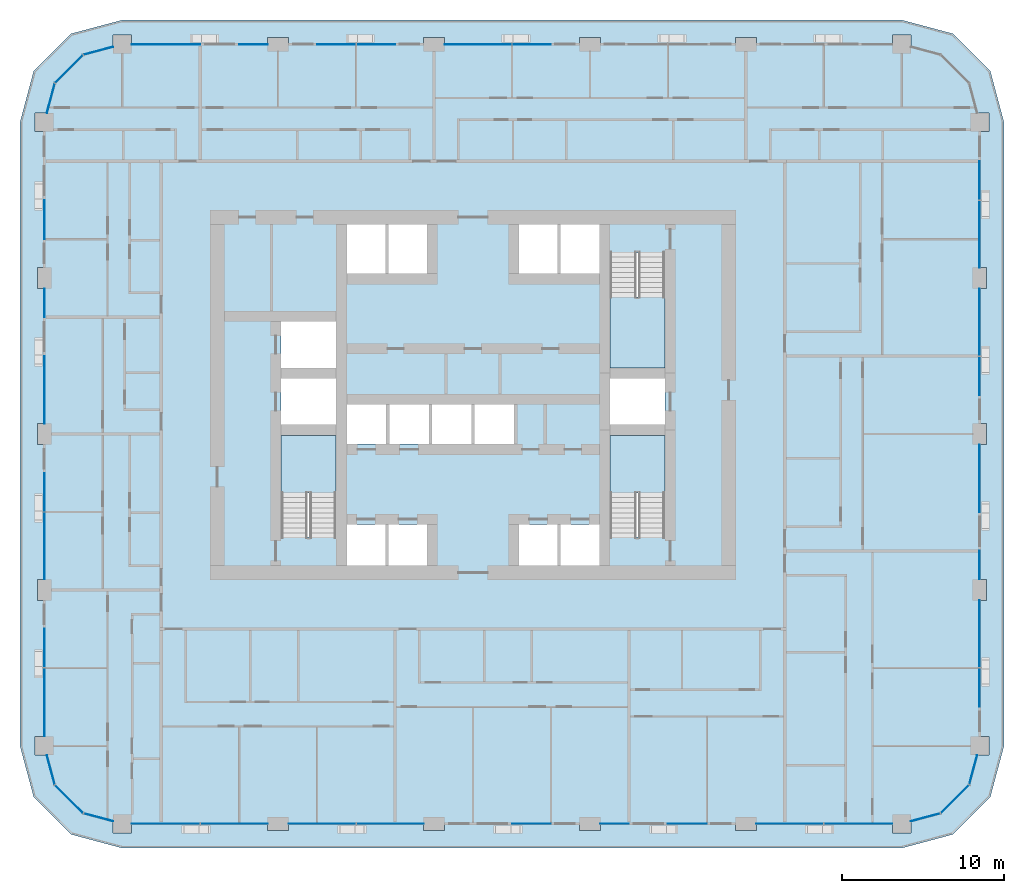
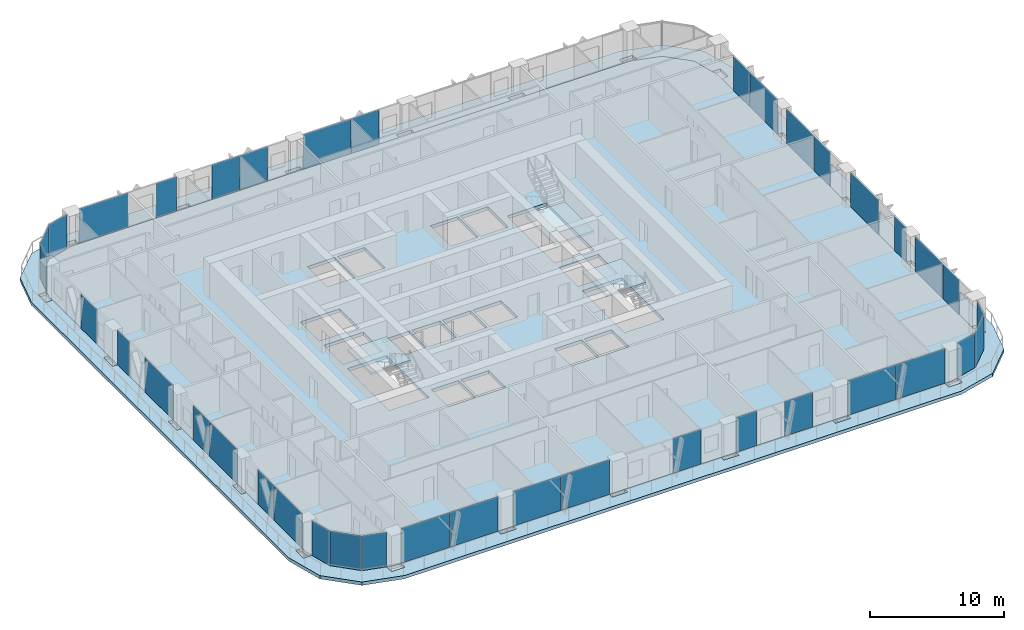
# One storey, part 7 of 22: 39 plates, 5 slabs, 22 elements without a shape of their own.
"""IFC4 building model written with IfcOpenShell, lengths in metres."""

from ifc_helpers import new_model, si_unit, direction, frame, origin, origin_2d, place, context, subcontext, project, spatial, polyline, rectangle, outline, extrude, material, layer, layer_set, type_object, element, aggregate, save


model = new_model("IFC4")

# Units and contexts
model_context = context("Model", 3, precision=1e-05, world=origin(), true_north=direction((0.0, 1.0)))
body_context = subcontext(model_context, "Body", "Model", "MODEL_VIEW")
ifc_project = project(units=[si_unit("LENGTHUNIT", "METRE"), si_unit("AREAUNIT", "SQUARE_METRE"), si_unit("VOLUMEUNIT", "CUBIC_METRE"), si_unit("PLANEANGLEUNIT", "RADIAN"), si_unit("MASSUNIT", "GRAM", prefix="KILO")], contexts=[model_context])

# Site, building, storey
site_placement = place(None, origin())
site = spatial("IfcSite", under=ifc_project, at=site_placement, CompositionType="ELEMENT")
building_placement = place(site_placement, origin())
building = spatial("IfcBuilding", under=site, at=building_placement, Name="Madar Terraces", CompositionType="ELEMENT")
storey_placement = place(building_placement, frame((0.0, 0.0, 66.300048828125)))
storey = spatial("IfcBuildingStorey", under=building, at=storey_placement, Name="L16", CompositionType="ELEMENT", Elevation=66.300048828125)

# Slabs
ifc_material_1 = material(Name="Concrete C50/60", Category="concrete")
ifc_layer_1 = layer(ifc_material_1, 0.300048828125)
ifc_layer_set_1 = layer_set([ifc_layer_1], Name="Balcony band 300")
slab_type_1 = type_object("IfcSlabType", Name="Balcony band 300", PredefinedType="FLOOR", material=ifc_layer_set_1)
slab_1_placement = place(storey_placement, frame((0.0, 0.0, -0.300048828125)))
element("IfcSlab", 1, at=slab_1_placement, inside=storey, type_object=slab_type_1, Name="Balcony band", PredefinedType="FLOOR", context=body_context, shape_type="SweptSolid", body=[
    extrude(outline(polyline([(9.60009765625, -1.5), (6.449951171875, -0.656005859375), (4.14404296875, 1.64990234375), (3.300048828125, 4.800048828125), (3.300048828125, 43.199951171875), (4.14404296875, 46.35009765625), (6.449951171875, 48.656005859375), (9.60009765625, 49.5), (57.60009765625, 49.5), (60.75, 48.656005859375), (63.055908203125, 46.35009765625), (63.89990234375, 43.199951171875), (63.89990234375, 4.800048828125), (63.055908203125, 1.64990234375), (60.75, -0.656005859375), (57.60009765625, -1.5), (9.60009765625, -1.5)]), holes=[polyline([(10.175048828125, -0.574951171875), (10.175048828125, 0.0), (18.550048828125, 0.0), (18.550048828125, -0.425048828125), (19.85009765625, -0.425048828125), (19.85009765625, 0.0), (28.14990234375, 0.0), (28.14990234375, -0.425048828125), (29.449951171875, -0.425048828125), (29.449951171875, 0.0), (37.75, 0.0), (37.75, -0.425048828125), (39.050048828125, -0.425048828125), (39.050048828125, 0.0), (47.35009765625, 0.0), (47.35009765625, -0.425048828125), (48.64990234375, -0.425048828125), (48.64990234375, 0.0), (57.02490234375, 0.0), (57.02490234375, -0.574951171875), (58.175048828125, -0.574951171875), (58.175048828125, 0.154052734375), (60.0, 0.64306640625), (61.7568359375, 2.39990234375), (62.245849609375, 4.22509765625), (62.97509765625, 4.22509765625), (62.97509765625, 5.375), (62.39990234375, 5.375), (62.39990234375, 13.75), (62.824951171875, 13.75), (62.824951171875, 15.050048828125), (62.39990234375, 15.050048828125), (62.39990234375, 23.35009765625), (62.824951171875, 23.35009765625), (62.824951171875, 24.64990234375), (62.39990234375, 24.64990234375), (62.39990234375, 32.949951171875), (62.824951171875, 32.949951171875), (62.824951171875, 34.25), (62.39990234375, 34.25), (62.39990234375, 42.625), (62.97509765625, 42.625), (62.97509765625, 43.77490234375), (62.245849609375, 43.77490234375), (61.7568359375, 45.60009765625), (60.0, 47.35693359375), (58.175048828125, 47.845947265625), (58.175048828125, 48.574951171875), (57.02490234375, 48.574951171875), (57.02490234375, 48.0), (48.64990234375, 48.0), (48.64990234375, 48.425048828125), (47.35009765625, 48.425048828125), (47.35009765625, 48.0), (39.050048828125, 48.0), (39.050048828125, 48.425048828125), (37.75, 48.425048828125), (37.75, 48.0), (29.449951171875, 48.0), (29.449951171875, 48.425048828125), (28.14990234375, 48.425048828125), (28.14990234375, 48.0), (19.85009765625, 48.0), (19.85009765625, 48.425048828125), (18.550048828125, 48.425048828125), (18.550048828125, 48.0), (10.175048828125, 48.0), (10.175048828125, 48.574951171875), (9.02490234375, 48.574951171875), (9.02490234375, 47.845947265625), (7.199951171875, 47.35693359375), (5.443115234375, 45.60009765625), (4.9541015625, 43.77490234375), (4.22509765625, 43.77490234375), (4.22509765625, 42.625), (4.800048828125, 42.625), (4.800048828125, 34.25), (4.375, 34.25), (4.375, 32.949951171875), (4.800048828125, 32.949951171875), (4.800048828125, 24.64990234375), (4.375, 24.64990234375), (4.375, 23.35009765625), (4.800048828125, 23.35009765625), (4.800048828125, 15.050048828125), (4.375, 15.050048828125), (4.375, 13.75), (4.800048828125, 13.75), (4.800048828125, 5.375), (4.22509765625, 5.375), (4.22509765625, 4.22509765625), (4.9541015625, 4.22509765625), (5.443115234375, 2.39990234375), (7.199951171875, 0.64306640625), (9.02490234375, 0.154052734375), (9.02490234375, -0.574951171875), (10.175048828125, -0.574951171875)])]), origin(), (0.0, 0.0, 1.0), 0.300048828125),
])
ifc_material_2 = material(Name="Concrete C50/60", Category="concrete")
ifc_layer_2 = layer(ifc_material_2, 0.300048828125)
ifc_layer_set_2 = layer_set([ifc_layer_2], Name="FS2 PT flat slab 300")
slab_type_2 = type_object("IfcSlabType", Name="FS2 PT flat slab 300", PredefinedType="FLOOR", material=ifc_layer_set_2)
slab_2_placement = place(storey_placement, frame((0.0, 0.0, -0.300048828125)))
element("IfcSlab", 2, at=slab_2_placement, inside=storey, type_object=slab_type_2, Name="Floor slab L16 (1)", PredefinedType="FLOOR", context=body_context, shape_type="SweptSolid", body=[
    extrude(outline(polyline([(57.60009765625, 0.0), (60.0, 0.64306640625), (61.7568359375, 2.39990234375), (62.39990234375, 4.800048828125), (62.39990234375, 43.199951171875), (61.7568359375, 45.60009765625), (60.0, 47.35693359375), (57.60009765625, 48.0), (9.60009765625, 48.0), (7.199951171875, 47.35693359375), (5.443115234375, 45.60009765625), (4.800048828125, 43.199951171875), (4.800048828125, 4.800048828125), (5.443115234375, 2.39990234375), (7.199951171875, 0.64306640625), (9.60009765625, 0.0), (57.60009765625, 0.0)]), holes=[polyline([(23.425048828125, 15.89990234375), (23.425048828125, 18.425048828125), (25.800048828125, 18.425048828125), (25.800048828125, 15.89990234375), (23.425048828125, 15.89990234375)]), polyline([(26.0, 15.89990234375), (26.0, 18.425048828125), (28.375, 18.425048828125), (28.375, 15.89990234375), (26.0, 15.89990234375)]), polyline([(19.375, 17.64990234375), (19.375, 23.925048828125), (22.77490234375, 23.925048828125), (22.77490234375, 17.64990234375), (19.375, 17.64990234375)]), polyline([(23.425048828125, 23.375), (23.425048828125, 25.824951171875), (25.85009765625, 25.824951171875), (25.85009765625, 23.375), (23.425048828125, 23.375)]), polyline([(26.050048828125, 23.375), (26.050048828125, 25.824951171875), (28.47509765625, 25.824951171875), (28.47509765625, 23.375), (26.050048828125, 23.375)]), polyline([(19.375, 24.574951171875), (19.375, 27.425048828125), (22.77490234375, 27.425048828125), (22.77490234375, 24.574951171875), (19.375, 24.574951171875)]), polyline([(19.375, 28.074951171875), (19.375, 30.925048828125), (22.77490234375, 30.925048828125), (22.77490234375, 28.074951171875), (19.375, 28.074951171875)]), polyline([(23.425048828125, 36.89990234375), (25.800048828125, 36.89990234375), (25.800048828125, 33.875), (23.425048828125, 33.875), (23.425048828125, 36.89990234375)]), polyline([(26.0, 36.89990234375), (28.375, 36.89990234375), (28.375, 33.875), (26.0, 33.875), (26.0, 36.89990234375)]), polyline([(34.02490234375, 15.89990234375), (34.02490234375, 18.425048828125), (36.39990234375, 18.425048828125), (36.39990234375, 15.89990234375), (34.02490234375, 15.89990234375)]), polyline([(36.60009765625, 15.89990234375), (36.60009765625, 18.425048828125), (38.97509765625, 18.425048828125), (38.97509765625, 15.89990234375), (36.60009765625, 15.89990234375)]), polyline([(39.625, 17.64990234375), (39.625, 23.925048828125), (43.02490234375, 23.925048828125), (43.02490234375, 17.64990234375), (39.625, 17.64990234375)]), polyline([(28.675048828125, 23.375), (28.675048828125, 25.824951171875), (31.10009765625, 25.824951171875), (31.10009765625, 23.375), (28.675048828125, 23.375)]), polyline([(31.300048828125, 23.375), (31.300048828125, 25.824951171875), (33.72509765625, 25.824951171875), (33.72509765625, 23.375), (31.300048828125, 23.375)]), polyline([(39.625, 24.574951171875), (39.625, 27.425048828125), (43.02490234375, 27.425048828125), (43.02490234375, 24.574951171875), (39.625, 24.574951171875)]), polyline([(39.625, 28.074951171875), (39.625, 35.14990234375), (43.02490234375, 35.14990234375), (43.02490234375, 28.074951171875), (39.625, 28.074951171875)]), polyline([(34.02490234375, 36.89990234375), (36.39990234375, 36.89990234375), (36.39990234375, 33.875), (34.02490234375, 33.875), (34.02490234375, 36.89990234375)]), polyline([(36.60009765625, 36.89990234375), (38.97509765625, 36.89990234375), (38.97509765625, 33.875), (36.60009765625, 33.875), (36.60009765625, 36.89990234375)])]), origin(), (0.0, 0.0, 1.0), 0.300048828125),
])

# Curtain wall, plates
ifc_material_3 = material(Name="Glass, ceramic frit dark grey, with black aluminium frame", Category="aluminium")
ifc_layer_3 = layer(ifc_material_3, 0.199951171875)
ifc_layer_set_3 = layer_set([ifc_layer_3], Name="Facade curtain wall, fritted glass")
curtain_wall_type = type_object("IfcCurtainWallType", Name="Facade curtain wall, fritted glass", PredefinedType="NOTDEFINED", material=ifc_layer_set_3)
curtain_wall_1_placement = place(storey_placement, origin())
curtain_wall_1 = element("IfcCurtainWall", 3, at=curtain_wall_1_placement, inside=storey, type_object=curtain_wall_type, Name="Outer skin curtain wall south bay 1", PredefinedType="NOTDEFINED")
ifc_material_4 = material(Name="Glass, ceramic frit dark grey", Category="glass")
ifc_layer_4 = layer(ifc_material_4, 0.028076171875)
ifc_layer_set_4 = layer_set([ifc_layer_4], Name="Facade glass panel 28")
plate_type = type_object("IfcPlateType", Name="Facade glass panel 28", PredefinedType="CURTAIN_PANEL", material=ifc_layer_set_4)
plate_1_placement = place(storey_placement, frame((12.2724609375, 0.0, 0.0), z_axis=(0.0, 0.0, 1.0), x_axis=(1.0, 0.0, 0.0)))
plate_1 = element("IfcPlate", 4, at=plate_1_placement, type_object=plate_type, Name="Panel 1", PredefinedType="CURTAIN_PANEL", context=body_context, shape_type="SweptSolid", body=[
    extrude(rectangle(XDim=4.195068359375, YDim=0.028076171875, at=origin_2d()), origin(), (0.0, 0.0, 1.0), 3.139892578125),
])
plate_2_placement = place(storey_placement, frame((16.489990234375, 0.0, 0.0), z_axis=(0.0, 0.0, 1.0), x_axis=(1.0, 0.0, 0.0)))
plate_2 = element("IfcPlate", 5, at=plate_2_placement, type_object=plate_type, Name="Panel 2", PredefinedType="CURTAIN_PANEL", context=body_context, shape_type="SweptSolid", body=[
    extrude(rectangle(XDim=4.1201171875, YDim=0.028076171875, at=origin_2d()), origin(), (0.0, 0.0, 1.0), 3.139892578125),
])
aggregate(curtain_wall_1, [plate_1, plate_2])

curtain_wall_2_placement = place(storey_placement, origin())
curtain_wall_2 = element("IfcCurtainWall", 6, at=curtain_wall_2_placement, inside=storey, type_object=curtain_wall_type, Name="Outer skin curtain wall south bay 2", PredefinedType="NOTDEFINED")
plate_3_placement = place(storey_placement, frame((21.909912109375, 0.0, 0.0), z_axis=(0.0, 0.0, 1.0), x_axis=(1.0, 0.0, 0.0)))
plate_3 = element("IfcPlate", 7, at=plate_3_placement, type_object=plate_type, Name="Panel 1", PredefinedType="CURTAIN_PANEL", context=body_context, shape_type="SweptSolid", body=[
    extrude(rectangle(XDim=4.1201171875, YDim=0.028076171875, at=origin_2d()), origin(), (0.0, 0.0, 1.0), 3.139892578125),
])
plate_4_placement = place(storey_placement, frame((26.090087890625, 0.0, 0.0), z_axis=(0.0, 0.0, 1.0), x_axis=(1.0, 0.0, 0.0)))
plate_4 = element("IfcPlate", 8, at=plate_4_placement, type_object=plate_type, Name="Panel 2", PredefinedType="CURTAIN_PANEL", context=body_context, shape_type="SweptSolid", body=[
    extrude(rectangle(XDim=4.1201171875, YDim=0.028076171875, at=origin_2d()), origin(), (0.0, 0.0, 1.0), 3.139892578125),
])
aggregate(curtain_wall_2, [plate_3, plate_4])

# Curtain wall, plate
curtain_wall_3_placement = place(storey_placement, origin())
curtain_wall_3 = element("IfcCurtainWall", 9, at=curtain_wall_3_placement, inside=storey, type_object=curtain_wall_type, Name="Outer skin curtain wall south bay 3", PredefinedType="NOTDEFINED")
plate_5_placement = place(storey_placement, frame((34.800048828125, 0.0, 0.0), z_axis=(0.0, 0.0, 1.0), x_axis=(1.0, 0.0, 0.0)))
plate_5 = element("IfcPlate", 10, at=plate_5_placement, type_object=plate_type, Name="Panel 1", PredefinedType="CURTAIN_PANEL", context=body_context, shape_type="SweptSolid", body=[
    extrude(rectangle(XDim=2.39990234375, YDim=0.028076171875, at=origin_2d()), origin(), (0.0, 0.0, 1.0), 3.139892578125),
])
aggregate(curtain_wall_3, [plate_5])

# Curtain wall, plates
curtain_wall_4_placement = place(storey_placement, origin())
curtain_wall_4 = element("IfcCurtainWall", 11, at=curtain_wall_4_placement, inside=storey, type_object=curtain_wall_type, Name="Outer skin curtain wall south bay 4", PredefinedType="NOTDEFINED")
plate_6_placement = place(storey_placement, frame((39.925048828125, 0.0, 0.0), z_axis=(0.0, 0.0, 1.0), x_axis=(1.0, 0.0, 0.0)))
plate_6 = element("IfcPlate", 12, at=plate_6_placement, type_object=plate_type, Name="Panel 1", PredefinedType="CURTAIN_PANEL", context=body_context, shape_type="SweptSolid", body=[
    extrude(rectangle(XDim=1.75, YDim=0.028076171875, at=origin_2d()), origin(), (0.0, 0.0, 1.0), 3.139892578125),
])
plate_7_placement = place(storey_placement, frame((44.39990234375, 0.0, 0.0), z_axis=(0.0, 0.0, 1.0), x_axis=(1.0, 0.0, 0.0)))
plate_7 = element("IfcPlate", 13, at=plate_7_placement, type_object=plate_type, Name="Panel 2", PredefinedType="CURTAIN_PANEL", context=body_context, shape_type="SweptSolid", body=[
    extrude(rectangle(XDim=2.39990234375, YDim=0.028076171875, at=origin_2d()), origin(), (0.0, 0.0, 1.0), 3.139892578125),
])
aggregate(curtain_wall_4, [plate_6, plate_7])

curtain_wall_5_placement = place(storey_placement, origin())
curtain_wall_5 = element("IfcCurtainWall", 14, at=curtain_wall_5_placement, inside=storey, type_object=curtain_wall_type, Name="Outer skin curtain wall south bay 5", PredefinedType="NOTDEFINED")
plate_8_placement = place(storey_placement, frame((50.7099609375, 0.0, 0.0), z_axis=(0.0, 0.0, 1.0), x_axis=(1.0, 0.0, 0.0)))
plate_8 = element("IfcPlate", 15, at=plate_8_placement, type_object=plate_type, Name="Panel 1", PredefinedType="CURTAIN_PANEL", context=body_context, shape_type="SweptSolid", body=[
    extrude(rectangle(XDim=4.1201171875, YDim=0.028076171875, at=origin_2d()), origin(), (0.0, 0.0, 1.0), 3.139892578125),
])
plate_9_placement = place(storey_placement, frame((54.927490234375, 0.0, 0.0), z_axis=(0.0, 0.0, 1.0), x_axis=(1.0, 0.0, 0.0)))
plate_9 = element("IfcPlate", 16, at=plate_9_placement, type_object=plate_type, Name="Panel 2", PredefinedType="CURTAIN_PANEL", context=body_context, shape_type="SweptSolid", body=[
    extrude(rectangle(XDim=4.195068359375, YDim=0.028076171875, at=origin_2d()), origin(), (0.0, 0.0, 1.0), 3.139892578125),
])
aggregate(curtain_wall_5, [plate_8, plate_9])

curtain_wall_6_placement = place(storey_placement, origin())
curtain_wall_6 = element("IfcCurtainWall", 17, at=curtain_wall_6_placement, inside=storey, type_object=curtain_wall_type, Name="Outer skin curtain wall east bay 1", PredefinedType="NOTDEFINED")
plate_10_placement = place(storey_placement, frame((62.39990234375, 8.385009765625, 0.0), z_axis=(0.0, 0.0, 1.0), x_axis=(0.0, 1.0, 0.0)))
plate_10 = element("IfcPlate", 18, at=plate_10_placement, type_object=plate_type, Name="Panel 1", PredefinedType="CURTAIN_PANEL", context=body_context, shape_type="SweptSolid", body=[
    extrude(rectangle(XDim=2.3701171875, YDim=0.028076171875, at=origin_2d()), origin(), (0.0, 0.0, 1.0), 3.139892578125),
])
plate_11_placement = place(storey_placement, frame((62.39990234375, 11.68994140625, 0.0), z_axis=(0.0, 0.0, 1.0), x_axis=(0.0, 1.0, 0.0)))
plate_11 = element("IfcPlate", 19, at=plate_11_placement, type_object=plate_type, Name="Panel 2", PredefinedType="CURTAIN_PANEL", context=body_context, shape_type="SweptSolid", body=[
    extrude(rectangle(XDim=4.1201171875, YDim=0.028076171875, at=origin_2d()), origin(), (0.0, 0.0, 1.0), 3.139892578125),
])
aggregate(curtain_wall_6, [plate_10, plate_11])

curtain_wall_7_placement = place(storey_placement, origin())
curtain_wall_7 = element("IfcCurtainWall", 20, at=curtain_wall_7_placement, inside=storey, type_object=curtain_wall_type, Name="Outer skin curtain wall east bay 2", PredefinedType="NOTDEFINED")
plate_12_placement = place(storey_placement, frame((62.39990234375, 15.925048828125, 0.0), z_axis=(0.0, 0.0, 1.0), x_axis=(0.0, 1.0, 0.0)))
plate_12 = element("IfcPlate", 21, at=plate_12_placement, type_object=plate_type, Name="Panel 1", PredefinedType="CURTAIN_PANEL", context=body_context, shape_type="SweptSolid", body=[
    extrude(rectangle(XDim=1.75, YDim=0.028076171875, at=origin_2d()), origin(), (0.0, 0.0, 1.0), 3.139892578125),
])
plate_13_placement = place(storey_placement, frame((62.39990234375, 21.27490234375, 0.0), z_axis=(0.0, 0.0, 1.0), x_axis=(0.0, 1.0, 0.0)))
plate_13 = element("IfcPlate", 22, at=plate_13_placement, type_object=plate_type, Name="Panel 2", PredefinedType="CURTAIN_PANEL", context=body_context, shape_type="SweptSolid", body=[
    extrude(rectangle(XDim=4.14990234375, YDim=0.028076171875, at=origin_2d()), origin(), (0.0, 0.0, 1.0), 3.139892578125),
])
aggregate(curtain_wall_7, [plate_12, plate_13])

curtain_wall_8_placement = place(storey_placement, origin())
curtain_wall_8 = element("IfcCurtainWall", 23, at=curtain_wall_8_placement, inside=storey, type_object=curtain_wall_type, Name="Outer skin curtain wall east bay 3", PredefinedType="NOTDEFINED")
plate_14_placement = place(storey_placement, frame((62.39990234375, 27.5849609375, 0.0), z_axis=(0.0, 0.0, 1.0), x_axis=(0.0, 1.0, 0.0)))
plate_14 = element("IfcPlate", 24, at=plate_14_placement, type_object=plate_type, Name="Panel 1", PredefinedType="CURTAIN_PANEL", context=body_context, shape_type="SweptSolid", body=[
    extrude(rectangle(XDim=2.3701171875, YDim=0.028076171875, at=origin_2d()), origin(), (0.0, 0.0, 1.0), 3.139892578125),
])
plate_15_placement = place(storey_placement, frame((62.39990234375, 30.889892578125, 0.0), z_axis=(0.0, 0.0, 1.0), x_axis=(0.0, 1.0, 0.0)))
plate_15 = element("IfcPlate", 25, at=plate_15_placement, type_object=plate_type, Name="Panel 2", PredefinedType="CURTAIN_PANEL", context=body_context, shape_type="SweptSolid", body=[
    extrude(rectangle(XDim=4.1201171875, YDim=0.028076171875, at=origin_2d()), origin(), (0.0, 0.0, 1.0), 3.139892578125),
])
aggregate(curtain_wall_8, [plate_14, plate_15])

curtain_wall_9_placement = place(storey_placement, origin())
curtain_wall_9 = element("IfcCurtainWall", 26, at=curtain_wall_9_placement, inside=storey, type_object=curtain_wall_type, Name="Outer skin curtain wall east bay 4", PredefinedType="NOTDEFINED")
plate_16_placement = place(storey_placement, frame((62.39990234375, 36.31005859375, 0.0), z_axis=(0.0, 0.0, 1.0), x_axis=(0.0, 1.0, 0.0)))
plate_16 = element("IfcPlate", 27, at=plate_16_placement, type_object=plate_type, Name="Panel 1", PredefinedType="CURTAIN_PANEL", context=body_context, shape_type="SweptSolid", body=[
    extrude(rectangle(XDim=4.1201171875, YDim=0.028076171875, at=origin_2d()), origin(), (0.0, 0.0, 1.0), 3.139892578125),
])
plate_17_placement = place(storey_placement, frame((62.39990234375, 39.614990234375, 0.0), z_axis=(0.0, 0.0, 1.0), x_axis=(0.0, 1.0, 0.0)))
plate_17 = element("IfcPlate", 28, at=plate_17_placement, type_object=plate_type, Name="Panel 2", PredefinedType="CURTAIN_PANEL", context=body_context, shape_type="SweptSolid", body=[
    extrude(rectangle(XDim=2.3701171875, YDim=0.028076171875, at=origin_2d()), origin(), (0.0, 0.0, 1.0), 3.139892578125),
])
aggregate(curtain_wall_9, [plate_16, plate_17])

curtain_wall_10_placement = place(storey_placement, origin())
curtain_wall_10 = element("IfcCurtainWall", 29, at=curtain_wall_10_placement, inside=storey, type_object=curtain_wall_type, Name="Outer skin curtain wall north bay 3", PredefinedType="NOTDEFINED")
plate_18_placement = place(storey_placement, frame((34.81494140625, 48.0, 0.0), z_axis=(0.0, 0.0, 1.0), x_axis=(-1.0, 0.0, 0.0)))
plate_18 = element("IfcPlate", 30, at=plate_18_placement, type_object=plate_type, Name="Panel 1", PredefinedType="CURTAIN_PANEL", context=body_context, shape_type="SweptSolid", body=[
    extrude(rectangle(XDim=2.3701171875, YDim=0.028076171875, at=origin_2d()), origin(), (0.0, 0.0, 1.0), 3.139892578125),
])
plate_19_placement = place(storey_placement, frame((31.510009765625, 48.0, 0.0), z_axis=(0.0, 0.0, 1.0), x_axis=(-1.0, 0.0, 0.0)))
plate_19 = element("IfcPlate", 31, at=plate_19_placement, type_object=plate_type, Name="Panel 2", PredefinedType="CURTAIN_PANEL", context=body_context, shape_type="SweptSolid", body=[
    extrude(rectangle(XDim=4.1201171875, YDim=0.028076171875, at=origin_2d()), origin(), (0.0, 0.0, 1.0), 3.139892578125),
])
aggregate(curtain_wall_10, [plate_18, plate_19])

curtain_wall_11_placement = place(storey_placement, origin())
curtain_wall_11 = element("IfcCurtainWall", 32, at=curtain_wall_11_placement, inside=storey, type_object=curtain_wall_type, Name="Outer skin curtain wall north bay 4", PredefinedType="NOTDEFINED")
plate_20_placement = place(storey_placement, frame((25.215087890625, 48.0, 0.0), z_axis=(0.0, 0.0, 1.0), x_axis=(-1.0, 0.0, 0.0)))
plate_20 = element("IfcPlate", 33, at=plate_20_placement, type_object=plate_type, Name="Panel 1", PredefinedType="CURTAIN_PANEL", context=body_context, shape_type="SweptSolid", body=[
    extrude(rectangle(XDim=2.3701171875, YDim=0.028076171875, at=origin_2d()), origin(), (0.0, 0.0, 1.0), 3.139892578125),
])
plate_21_placement = place(storey_placement, frame((22.784912109375, 48.0, 0.0), z_axis=(0.0, 0.0, 1.0), x_axis=(-1.0, 0.0, 0.0)))
plate_21 = element("IfcPlate", 34, at=plate_21_placement, type_object=plate_type, Name="Panel 2", PredefinedType="CURTAIN_PANEL", context=body_context, shape_type="SweptSolid", body=[
    extrude(rectangle(XDim=2.3701171875, YDim=0.028076171875, at=origin_2d()), origin(), (0.0, 0.0, 1.0), 3.139892578125),
])
aggregate(curtain_wall_11, [plate_20, plate_21])

curtain_wall_12_placement = place(storey_placement, origin())
curtain_wall_12 = element("IfcCurtainWall", 35, at=curtain_wall_12_placement, inside=storey, type_object=curtain_wall_type, Name="Outer skin curtain wall north bay 5", PredefinedType="NOTDEFINED")
plate_22_placement = place(storey_placement, frame((17.675048828125, 48.0, 0.0), z_axis=(0.0, 0.0, 1.0), x_axis=(-1.0, 0.0, 0.0)))
plate_22 = element("IfcPlate", 36, at=plate_22_placement, type_object=plate_type, Name="Panel 1", PredefinedType="CURTAIN_PANEL", context=body_context, shape_type="SweptSolid", body=[
    extrude(rectangle(XDim=1.75, YDim=0.028076171875, at=origin_2d()), origin(), (0.0, 0.0, 1.0), 3.139892578125),
])
plate_23_placement = place(storey_placement, frame((12.28759765625, 48.0, 0.0), z_axis=(0.0, 0.0, 1.0), x_axis=(-1.0, 0.0, 0.0)))
plate_23 = element("IfcPlate", 37, at=plate_23_placement, type_object=plate_type, Name="Panel 2", PredefinedType="CURTAIN_PANEL", context=body_context, shape_type="SweptSolid", body=[
    extrude(rectangle(XDim=4.22509765625, YDim=0.028076171875, at=origin_2d()), origin(), (0.0, 0.0, 1.0), 3.139892578125),
])
aggregate(curtain_wall_12, [plate_22, plate_23])

# Curtain wall, plate
curtain_wall_13_placement = place(storey_placement, origin())
curtain_wall_13 = element("IfcCurtainWall", 38, at=curtain_wall_13_placement, inside=storey, type_object=curtain_wall_type, Name="Outer skin curtain wall west bay 1", PredefinedType="NOTDEFINED")
plate_24_placement = place(storey_placement, frame((4.800048828125, 37.199951171875, 0.0), z_axis=(0.0, 0.0, 1.0), x_axis=(0.0, -1.0, 0.0)))
plate_24 = element("IfcPlate", 39, at=plate_24_placement, type_object=plate_type, Name="Panel 1", PredefinedType="CURTAIN_PANEL", context=body_context, shape_type="SweptSolid", body=[
    extrude(rectangle(XDim=2.39990234375, YDim=0.028076171875, at=origin_2d()), origin(), (0.0, 0.0, 1.0), 3.139892578125),
])
aggregate(curtain_wall_13, [plate_24])

# Curtain wall, plates
curtain_wall_14_placement = place(storey_placement, origin())
curtain_wall_14 = element("IfcCurtainWall", 40, at=curtain_wall_14_placement, inside=storey, type_object=curtain_wall_type, Name="Outer skin curtain wall west bay 2", PredefinedType="NOTDEFINED")
plate_25_placement = place(storey_placement, frame((4.800048828125, 32.074951171875, 0.0), z_axis=(0.0, 0.0, 1.0), x_axis=(0.0, -1.0, 0.0)))
plate_25 = element("IfcPlate", 41, at=plate_25_placement, type_object=plate_type, Name="Panel 1", PredefinedType="CURTAIN_PANEL", context=body_context, shape_type="SweptSolid", body=[
    extrude(rectangle(XDim=1.75, YDim=0.028076171875, at=origin_2d()), origin(), (0.0, 0.0, 1.0), 3.139892578125),
])
plate_26_placement = place(storey_placement, frame((4.800048828125, 26.72509765625, 0.0), z_axis=(0.0, 0.0, 1.0), x_axis=(0.0, -1.0, 0.0)))
plate_26 = element("IfcPlate", 42, at=plate_26_placement, type_object=plate_type, Name="Panel 2", PredefinedType="CURTAIN_PANEL", context=body_context, shape_type="SweptSolid", body=[
    extrude(rectangle(XDim=4.14990234375, YDim=0.028076171875, at=origin_2d()), origin(), (0.0, 0.0, 1.0), 3.139892578125),
])
aggregate(curtain_wall_14, [plate_25, plate_26])

curtain_wall_15_placement = place(storey_placement, origin())
curtain_wall_15 = element("IfcCurtainWall", 43, at=curtain_wall_15_placement, inside=storey, type_object=curtain_wall_type, Name="Outer skin curtain wall west bay 3", PredefinedType="NOTDEFINED")
plate_27_placement = place(storey_placement, frame((4.800048828125, 20.4150390625, 0.0), z_axis=(0.0, 0.0, 1.0), x_axis=(0.0, -1.0, 0.0)))
plate_27 = element("IfcPlate", 44, at=plate_27_placement, type_object=plate_type, Name="Panel 1", PredefinedType="CURTAIN_PANEL", context=body_context, shape_type="SweptSolid", body=[
    extrude(rectangle(XDim=2.3701171875, YDim=0.028076171875, at=origin_2d()), origin(), (0.0, 0.0, 1.0), 3.139892578125),
])
plate_28_placement = place(storey_placement, frame((4.800048828125, 17.110107421875, 0.0), z_axis=(0.0, 0.0, 1.0), x_axis=(0.0, -1.0, 0.0)))
plate_28 = element("IfcPlate", 45, at=plate_28_placement, type_object=plate_type, Name="Panel 2", PredefinedType="CURTAIN_PANEL", context=body_context, shape_type="SweptSolid", body=[
    extrude(rectangle(XDim=4.1201171875, YDim=0.028076171875, at=origin_2d()), origin(), (0.0, 0.0, 1.0), 3.139892578125),
])
aggregate(curtain_wall_15, [plate_27, plate_28])

curtain_wall_16_placement = place(storey_placement, origin())
curtain_wall_16 = element("IfcCurtainWall", 46, at=curtain_wall_16_placement, inside=storey, type_object=curtain_wall_type, Name="Outer skin curtain wall west bay 4", PredefinedType="NOTDEFINED")
plate_29_placement = place(storey_placement, frame((4.800048828125, 10.81494140625, 0.0), z_axis=(0.0, 0.0, 1.0), x_axis=(0.0, -1.0, 0.0)))
plate_29 = element("IfcPlate", 47, at=plate_29_placement, type_object=plate_type, Name="Panel 1", PredefinedType="CURTAIN_PANEL", context=body_context, shape_type="SweptSolid", body=[
    extrude(rectangle(XDim=2.3701171875, YDim=0.028076171875, at=origin_2d()), origin(), (0.0, 0.0, 1.0), 3.139892578125),
])
plate_30_placement = place(storey_placement, frame((4.800048828125, 7.472412109375, 0.0), z_axis=(0.0, 0.0, 1.0), x_axis=(0.0, -1.0, 0.0)))
plate_30 = element("IfcPlate", 48, at=plate_30_placement, type_object=plate_type, Name="Panel 2", PredefinedType="CURTAIN_PANEL", context=body_context, shape_type="SweptSolid", body=[
    extrude(rectangle(XDim=4.195068359375, YDim=0.028076171875, at=origin_2d()), origin(), (0.0, 0.0, 1.0), 3.139892578125),
])
aggregate(curtain_wall_16, [plate_29, plate_30])

curtain_wall_17_placement = place(storey_placement, origin())
curtain_wall_17 = element("IfcCurtainWall", 49, at=curtain_wall_17_placement, inside=storey, type_object=curtain_wall_type, Name="Outer skin curtain wall south-east corner", PredefinedType="NOTDEFINED")
plate_31_placement = place(storey_placement, frame((59.072998046875, 0.394775390625, 0.0), z_axis=(0.0, 0.0, 1.0), x_axis=(0.965925832509, 0.258819021888, 0.0)))
plate_31 = element("IfcPlate", 50, at=plate_31_placement, type_object=plate_type, Name="Panel 1", PredefinedType="CURTAIN_PANEL", context=body_context, shape_type="SweptSolid", body=[
    extrude(rectangle(XDim=1.859375, YDim=0.028076171875, at=origin_2d()), origin(), (0.0, 0.0, 1.0), 3.139892578125),
])
plate_32_placement = place(storey_placement, frame((60.87841796875, 1.521484375, 0.0), z_axis=(0.0, 0.0, 1.0), x_axis=(0.707106781187, 0.707106781187, 0.0)))
plate_32 = element("IfcPlate", 51, at=plate_32_placement, type_object=plate_type, Name="Panel 2", PredefinedType="CURTAIN_PANEL", context=body_context, shape_type="SweptSolid", body=[
    extrude(rectangle(XDim=2.424560546875, YDim=0.028076171875, at=origin_2d()), origin(), (0.0, 0.0, 1.0), 3.139892578125),
])
plate_33_placement = place(storey_placement, frame((62.00537109375, 3.326904296875, 0.0), z_axis=(0.0, 0.0, 1.0), x_axis=(0.258819021888, 0.965925832509, 0.0)))
plate_33 = element("IfcPlate", 52, at=plate_33_placement, type_object=plate_type, Name="Panel 3", PredefinedType="CURTAIN_PANEL", context=body_context, shape_type="SweptSolid", body=[
    extrude(rectangle(XDim=1.859375, YDim=0.028076171875, at=origin_2d()), origin(), (0.0, 0.0, 1.0), 3.139892578125),
])
aggregate(curtain_wall_17, [plate_31, plate_32, plate_33])

curtain_wall_18_placement = place(storey_placement, origin())
curtain_wall_18 = element("IfcCurtainWall", 53, at=curtain_wall_18_placement, inside=storey, type_object=curtain_wall_type, Name="Outer skin curtain wall north-west corner", PredefinedType="NOTDEFINED")
plate_34_placement = place(storey_placement, frame((8.126953125, 47.605224609375, 0.0), z_axis=(0.0, 0.0, 1.0), x_axis=(-0.965925832509, -0.258819021888, 0.0)))
plate_34 = element("IfcPlate", 54, at=plate_34_placement, type_object=plate_type, Name="Panel 1", PredefinedType="CURTAIN_PANEL", context=body_context, shape_type="SweptSolid", body=[
    extrude(rectangle(XDim=1.859375, YDim=0.028076171875, at=origin_2d()), origin(), (0.0, 0.0, 1.0), 3.139892578125),
])
plate_35_placement = place(storey_placement, frame((6.321533203125, 46.478515625, 0.0), z_axis=(0.0, 0.0, 1.0), x_axis=(-0.707106781187, -0.707106781187, 0.0)))
plate_35 = element("IfcPlate", 55, at=plate_35_placement, type_object=plate_type, Name="Panel 2", PredefinedType="CURTAIN_PANEL", context=body_context, shape_type="SweptSolid", body=[
    extrude(rectangle(XDim=2.424560546875, YDim=0.028076171875, at=origin_2d()), origin(), (0.0, 0.0, 1.0), 3.139892578125),
])
plate_36_placement = place(storey_placement, frame((5.194580078125, 44.673095703125, 0.0), z_axis=(0.0, 0.0, 1.0), x_axis=(-0.258819021888, -0.965925832509, 0.0)))
plate_36 = element("IfcPlate", 56, at=plate_36_placement, type_object=plate_type, Name="Panel 3", PredefinedType="CURTAIN_PANEL", context=body_context, shape_type="SweptSolid", body=[
    extrude(rectangle(XDim=1.859375, YDim=0.028076171875, at=origin_2d()), origin(), (0.0, 0.0, 1.0), 3.139892578125),
])
aggregate(curtain_wall_18, [plate_34, plate_35, plate_36])

curtain_wall_19_placement = place(storey_placement, origin())
curtain_wall_19 = element("IfcCurtainWall", 57, at=curtain_wall_19_placement, inside=storey, type_object=curtain_wall_type, Name="Outer skin curtain wall south-west corner", PredefinedType="NOTDEFINED")
plate_37_placement = place(storey_placement, frame((5.194580078125, 3.326904296875, 0.0), z_axis=(0.0, 0.0, 1.0), x_axis=(0.258819021888, -0.965925832509, 0.0)))
plate_37 = element("IfcPlate", 58, at=plate_37_placement, type_object=plate_type, Name="Panel 1", PredefinedType="CURTAIN_PANEL", context=body_context, shape_type="SweptSolid", body=[
    extrude(rectangle(XDim=1.859375, YDim=0.028076171875, at=origin_2d()), origin(), (0.0, 0.0, 1.0), 3.139892578125),
])
plate_38_placement = place(storey_placement, frame((6.321533203125, 1.521484375, 0.0), z_axis=(0.0, 0.0, 1.0), x_axis=(0.707106781187, -0.707106781187, 0.0)))
plate_38 = element("IfcPlate", 59, at=plate_38_placement, type_object=plate_type, Name="Panel 2", PredefinedType="CURTAIN_PANEL", context=body_context, shape_type="SweptSolid", body=[
    extrude(rectangle(XDim=2.424560546875, YDim=0.028076171875, at=origin_2d()), origin(), (0.0, 0.0, 1.0), 3.139892578125),
])
plate_39_placement = place(storey_placement, frame((8.126953125, 0.394775390625, 0.0), z_axis=(0.0, 0.0, 1.0), x_axis=(0.965925832509, -0.258819021888, 0.0)))
plate_39 = element("IfcPlate", 60, at=plate_39_placement, type_object=plate_type, Name="Panel 3", PredefinedType="CURTAIN_PANEL", context=body_context, shape_type="SweptSolid", body=[
    extrude(rectangle(XDim=1.859375, YDim=0.028076171875, at=origin_2d()), origin(), (0.0, 0.0, 1.0), 3.139892578125),
])
aggregate(curtain_wall_19, [plate_37, plate_38, plate_39])

# Stair, slab
ifc_material_5 = material(Name="Concrete C50/60", Category="concrete")
stair_type_1 = type_object("IfcStairType", Name="Stair ST1 protected exit", PredefinedType="HALF_TURN_STAIR", material=ifc_material_5)
stair_1_placement = place(storey_placement, origin())
stair_1 = element("IfcStair", 61, at=stair_1_placement, inside=storey, type_object=stair_type_1, Name="L16 Protected Exit Stair ST1", PredefinedType="HALF_TURN_STAIR")
ifc_material_6 = material(Name="Concrete C50/60", Category="concrete")
ifc_layer_5 = layer(ifc_material_6, 0.199951171875)
ifc_layer_set_5 = layer_set([ifc_layer_5], Name="Stair landing 200, top +1.75")
slab_type_3 = type_object("IfcSlabType", Name="Stair landing 200, top +1.75", PredefinedType="LANDING", material=ifc_layer_set_5)
slab_3_placement = place(storey_placement, frame((0.0, 0.0, 1.550048828125)))
slab_3 = element("IfcSlab", 62, at=slab_3_placement, type_object=slab_type_3, Name="ST1 landing 1", PredefinedType="LANDING", context=body_context, shape_type="SweptSolid", body=[
    extrude(outline(polyline([(19.375, 20.360107421875), (22.77490234375, 20.360107421875), (22.77490234375, 23.925048828125), (19.375, 23.925048828125), (19.375, 20.360107421875)])), origin(), (0.0, 0.0, 1.0), 0.199951171875),
])
aggregate(stair_1, [slab_3])

ifc_material_7 = material(Name="Concrete C50/60", Category="concrete")
stair_type_2 = type_object("IfcStairType", Name="Stair ST2 protected exit", PredefinedType="HALF_TURN_STAIR", material=ifc_material_7)
stair_2_placement = place(storey_placement, origin())
stair_2 = element("IfcStair", 63, at=stair_2_placement, inside=storey, type_object=stair_type_2, Name="L16 Protected Exit Stair ST2", PredefinedType="HALF_TURN_STAIR")
slab_4_placement = place(storey_placement, frame((0.0, 0.0, 1.550048828125)))
slab_4 = element("IfcSlab", 64, at=slab_4_placement, type_object=slab_type_3, Name="ST2 landing 1", PredefinedType="LANDING", context=body_context, shape_type="SweptSolid", body=[
    extrude(outline(polyline([(39.625, 28.074951171875), (43.02490234375, 28.074951171875), (43.02490234375, 32.43994140625), (39.625, 32.43994140625), (39.625, 28.074951171875)])), origin(), (0.0, 0.0, 1.0), 0.199951171875),
])
aggregate(stair_2, [slab_4])

ifc_material_8 = material(Name="Concrete C50/60", Category="concrete")
stair_type_3 = type_object("IfcStairType", Name="Stair ST3 protected exit", PredefinedType="HALF_TURN_STAIR", material=ifc_material_8)
stair_3_placement = place(storey_placement, origin())
stair_3 = element("IfcStair", 65, at=stair_3_placement, inside=storey, type_object=stair_type_3, Name="L16 Protected Exit Stair ST3", PredefinedType="HALF_TURN_STAIR")
slab_5_placement = place(storey_placement, frame((0.0, 0.0, 1.550048828125)))
slab_5 = element("IfcSlab", 66, at=slab_5_placement, type_object=slab_type_3, Name="ST3 landing 1", PredefinedType="LANDING", context=body_context, shape_type="SweptSolid", body=[
    extrude(outline(polyline([(39.625, 20.360107421875), (43.02490234375, 20.360107421875), (43.02490234375, 23.925048828125), (39.625, 23.925048828125), (39.625, 20.360107421875)])), origin(), (0.0, 0.0, 1.0), 0.199951171875),
])
aggregate(stair_3, [slab_5])

save(model, "model.ifc")
